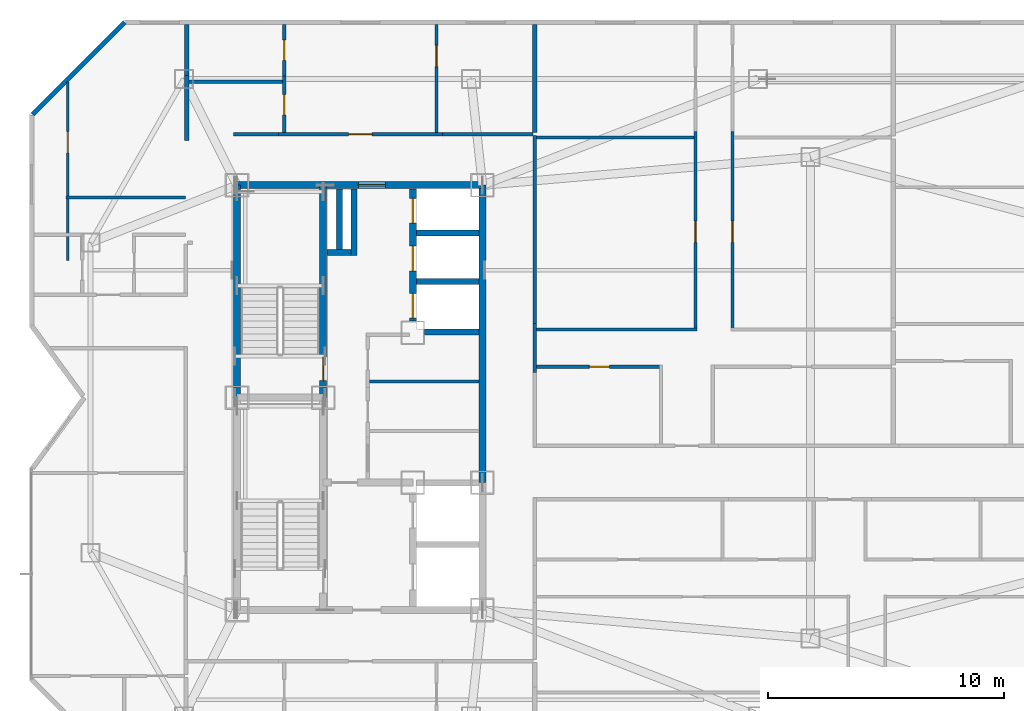
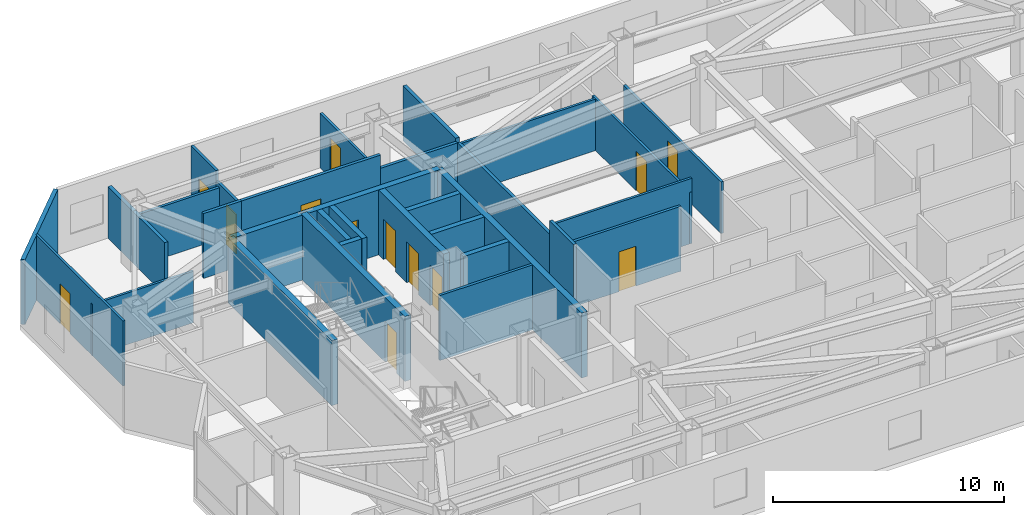
# One storey, part 10 of 14: 32 walls, 13 doors, 13 openings.
"""IFC4 building model written with IfcOpenShell, lengths in metres."""

from ifc_helpers import new_model, si_unit, direction, frame, frame_2d, origin, place, context, subcontext, project, spatial, rectangle, extrude, material, layer, layer_set, type_object, element, fill, save


model = new_model("IFC4")

# Units and contexts
model_context = context("Model", 3, precision=1e-05, world=origin(), true_north=direction((0.0, 1.0)))
body_context = subcontext(model_context, "Body", "Model", "MODEL_VIEW")
ifc_project = project(units=[si_unit("LENGTHUNIT", "METRE"), si_unit("AREAUNIT", "SQUARE_METRE"), si_unit("VOLUMEUNIT", "CUBIC_METRE"), si_unit("PLANEANGLEUNIT", "RADIAN"), si_unit("MASSUNIT", "GRAM", prefix="KILO")], contexts=[model_context])

# Site, building, storey
site_placement = place(None, origin())
site = spatial("IfcSite", under=ifc_project, at=site_placement, CompositionType="ELEMENT")
building_placement = place(site_placement, origin())
building = spatial("IfcBuilding", under=site, at=building_placement, Name="Khamvora Tower", CompositionType="ELEMENT")
storey_placement = place(building_placement, frame((0.0, 0.0, 231.800048828125)))
storey = spatial("IfcBuildingStorey", under=building, at=storey_placement, Name="L59", CompositionType="ELEMENT", Elevation=231.800048828125)

# Wall
ifc_material_1 = material(Name="Concrete C50/60", Category="concrete")
ifc_layer_1 = layer(ifc_material_1, 0.300048828125)
ifc_layer_set_1 = layer_set([ifc_layer_1], Name="Concrete C50/60")
wall_type_1 = type_object("IfcWallType", Name="WAL-CORE-300", PredefinedType="SHEAR", material=ifc_layer_set_1)
wall_1_placement = place(storey_placement, frame((29.0, 28.0, 0.0), z_axis=(0.0, 0.0, 1.0), x_axis=(0.0, 1.0, 0.0)))
element("IfcWall", 1, at=wall_1_placement, inside=storey, type_object=wall_type_1, Name="L59 central core west north wall", PredefinedType="SHEAR", context=body_context, shape_type="SweptSolid", body=[
    extrude(rectangle(XDim=9.0, YDim=0.300048828125, at=frame_2d((4.5, 0.0))), origin(), (0.0, 0.0, 1.0), 3.429931640625),
])

# Wall, opening, door
wall_2_placement = place(storey_placement, frame((29.0, 37.0, 0.0), z_axis=(0.0, 0.0, 1.0), x_axis=(1.0, 0.0, 0.0)))
wall_2 = element("IfcWall", 2, at=wall_2_placement, inside=storey, type_object=wall_type_1, Name="L59 central core north wall", PredefinedType="SHEAR", context=body_context, shape_type="SweptSolid", body=[
    extrude(rectangle(XDim=10.39990234375, YDim=0.300048828125, at=frame_2d((5.199951171875, 0.0))), origin(), (0.0, 0.0, 1.0), 3.429931640625),
])
opening_1_placement = place(wall_2_placement, frame((5.139892578125, 0.0, 0.0)))
opening_1 = element("IfcOpeningElement", 3, at=opening_1_placement, cuts=wall_2, Name="Opening D-SC1", PredefinedType="OPENING", context=body_context, shape_type="SweptSolid", body=[
    extrude(rectangle(XDim=1.14990234375, YDim=2.199951171875, at=frame_2d((0.574951171875, 1.10009765625))), frame((0.0, 0.159912109375, 0.0), z_axis=(0.0, -1.0, 0.0), x_axis=(1.0, 0.0, 0.0)), (0.0, 0.0, 1.0), 0.320068359375),
])
ifc_material_2 = material(Name="Powder-Coated Steel and Hardwood Leaf", Category="steel")
door_type_1 = type_object("IfcDoorType", Name="DOR-SCHL-1150", OperationType="NOTDEFINED", PredefinedType="DOOR", material=ifc_material_2)
door_1_placement = place(opening_1_placement, origin())
door_1 = element("IfcDoor", 4, at=door_1_placement, inside=storey, type_object=door_type_1, Name="L59 north core lobby to corridor fire door", OperationType="SINGLE_SWING_RIGHT", OverallHeight=2.199951171875, OverallWidth=1.14990234375, PredefinedType="DOOR", context=body_context, shape_type="SweptSolid", body=[
    extrude(rectangle(XDim=1.14990234375, YDim=2.199951171875, at=frame_2d((0.574951171875, 1.10009765625))), frame((0.0, 0.02490234375, 0.0), z_axis=(0.0, -1.0, 0.0), x_axis=(1.0, 0.0, 0.0)), (0.0, 0.0, 1.0), 0.050048828125),
])
fill(opening_1, door_1)

# Wall
wall_3_placement = place(storey_placement, frame((39.39990234375, 24.39990234375, 0.0), z_axis=(0.0, 0.0, 1.0), x_axis=(0.0, 1.0, 0.0)))
element("IfcWall", 5, at=wall_3_placement, inside=storey, type_object=wall_type_1, Name="L59 central core east north wall", PredefinedType="SHEAR", context=body_context, shape_type="SweptSolid", body=[
    extrude(rectangle(XDim=12.60009765625, YDim=0.300048828125, at=frame_2d((6.300048828125, 0.0))), origin(), (0.0, 0.0, 1.0), 3.429931640625),
])

# Wall, opening, door
wall_4_placement = place(storey_placement, frame((32.64990234375, 28.0, 0.0), z_axis=(0.0, 0.0, 1.0), x_axis=(0.0, 1.0, 0.0)))
wall_4 = element("IfcWall", 6, at=wall_4_placement, inside=storey, type_object=wall_type_1, Name="L59 central core stair north spine wall", PredefinedType="SHEAR", context=body_context, shape_type="SweptSolid", body=[
    extrude(rectangle(XDim=9.0, YDim=0.300048828125, at=frame_2d((4.5, 0.0))), origin(), (0.0, 0.0, 1.0), 3.429931640625),
])
opening_2_placement = place(wall_4_placement, frame((0.719970703125, 0.0, 0.0)))
opening_2 = element("IfcOpeningElement", 7, at=opening_2_placement, cuts=wall_4, Name="Opening D-ST1", PredefinedType="OPENING", context=body_context, shape_type="SweptSolid", body=[
    extrude(rectangle(XDim=1.0, YDim=2.14990234375, at=frame_2d((0.5, 1.074951171875))), frame((0.0, 0.159912109375, 0.0), z_axis=(0.0, -1.0, 0.0), x_axis=(1.0, 0.0, 0.0)), (0.0, 0.0, 1.0), 0.320068359375),
])
door_type_2 = type_object("IfcDoorType", Name="DOR-STAIR-1000", OperationType="NOTDEFINED", PredefinedType="DOOR", material=ifc_material_2)
door_2_placement = place(opening_2_placement, origin())
door_2 = element("IfcDoor", 8, at=door_2_placement, inside=storey, type_object=door_type_2, Name="L59 exit stair ST-02 fire door", OperationType="SINGLE_SWING_RIGHT", OverallHeight=2.14990234375, OverallWidth=1.0, PredefinedType="DOOR", context=body_context, shape_type="SweptSolid", body=[
    extrude(rectangle(XDim=1.0, YDim=2.14990234375, at=frame_2d((0.5, 1.074951171875))), frame((0.0, 0.02490234375, 0.0), z_axis=(0.0, -1.0, 0.0), x_axis=(1.0, 0.0, 0.0)), (0.0, 0.0, 1.0), 0.050048828125),
])
fill(opening_2, door_2)

# Wall, openings, doors
wall_5_placement = place(storey_placement, frame((36.449951171875, 31.25, 0.0), z_axis=(0.0, 0.0, 1.0), x_axis=(0.0, 1.0, 0.0)))
wall_5 = element("IfcWall", 9, at=wall_5_placement, inside=storey, type_object=wall_type_1, Name="L59 central core lift bank central wall", PredefinedType="SHEAR", context=body_context, shape_type="SweptSolid", body=[
    extrude(rectangle(XDim=5.595947265625, YDim=0.300048828125, at=frame_2d((2.7978515625, 0.0))), origin(), (0.0, 0.0, 1.0), 3.429931640625),
])
opening_3_placement = place(wall_5_placement, frame((0.1201171875, 0.0, 0.0)))
opening_3 = element("IfcOpeningElement", 10, at=opening_3_placement, cuts=wall_5, Name="Opening LD-PL", PredefinedType="OPENING", context=body_context, shape_type="SweptSolid", body=[
    extrude(rectangle(XDim=1.050048828125, YDim=2.14990234375, at=frame_2d((0.52490234375, 1.074951171875))), frame((0.0, 0.159912109375, 0.0), z_axis=(0.0, -1.0, 0.0), x_axis=(1.0, 0.0, 0.0)), (0.0, 0.0, 1.0), 0.320068359375),
])
opening_4_placement = place(wall_5_placement, frame((2.125, 0.0, 0.0)))
opening_4 = element("IfcOpeningElement", 11, at=opening_4_placement, cuts=wall_5, Name="Opening LD-PL", PredefinedType="OPENING", context=body_context, shape_type="SweptSolid", body=[
    extrude(rectangle(XDim=1.050048828125, YDim=2.14990234375, at=frame_2d((0.52490234375, 1.074951171875))), frame((0.0, 0.159912109375, 0.0), z_axis=(0.0, -1.0, 0.0), x_axis=(1.0, 0.0, 0.0)), (0.0, 0.0, 1.0), 0.320068359375),
])
opening_5_placement = place(wall_5_placement, frame((4.14501953125, 0.0, 0.0)))
opening_5 = element("IfcOpeningElement", 12, at=opening_5_placement, cuts=wall_5, Name="Opening LD-PL", PredefinedType="OPENING", context=body_context, shape_type="SweptSolid", body=[
    extrude(rectangle(XDim=1.050048828125, YDim=2.14990234375, at=frame_2d((0.52490234375, 1.074951171875))), frame((0.0, 0.159912109375, 0.0), z_axis=(0.0, -1.0, 0.0), x_axis=(1.0, 0.0, 0.0)), (0.0, 0.0, 1.0), 0.320068359375),
])
door_type_3 = type_object("IfcDoorType", Name="DOR-LIFT-1050", OperationType="SLIDING_TO_LEFT", PredefinedType="DOOR", material=ifc_material_2)
door_3_placement = place(opening_3_placement, origin())
door_3 = element("IfcDoor", 13, at=door_3_placement, inside=storey, type_object=door_type_3, Name="L59 lift landing sliding door PH-01", OperationType="SLIDING_TO_LEFT", OverallHeight=2.14990234375, OverallWidth=1.050048828125, PredefinedType="DOOR", context=body_context, shape_type="SweptSolid", body=[
    extrude(rectangle(XDim=1.050048828125, YDim=2.14990234375, at=frame_2d((0.52490234375, 1.074951171875))), frame((0.0, 0.02490234375, 0.0), z_axis=(0.0, -1.0, 0.0), x_axis=(1.0, 0.0, 0.0)), (0.0, 0.0, 1.0), 0.050048828125),
])
fill(opening_3, door_3)
door_4_placement = place(opening_4_placement, origin())
door_4 = element("IfcDoor", 14, at=door_4_placement, inside=storey, type_object=door_type_3, Name="L59 lift landing sliding door PH-02", OperationType="SLIDING_TO_LEFT", OverallHeight=2.14990234375, OverallWidth=1.050048828125, PredefinedType="DOOR", context=body_context, shape_type="SweptSolid", body=[
    extrude(rectangle(XDim=1.050048828125, YDim=2.14990234375, at=frame_2d((0.52490234375, 1.074951171875))), frame((0.0, 0.02490234375, 0.0), z_axis=(0.0, -1.0, 0.0), x_axis=(1.0, 0.0, 0.0)), (0.0, 0.0, 1.0), 0.050048828125),
])
fill(opening_4, door_4)
door_5_placement = place(opening_5_placement, origin())
door_5 = element("IfcDoor", 15, at=door_5_placement, inside=storey, type_object=door_type_3, Name="L59 lift landing sliding door PH-03", OperationType="SLIDING_TO_LEFT", OverallHeight=2.14990234375, OverallWidth=1.050048828125, PredefinedType="DOOR", context=body_context, shape_type="SweptSolid", body=[
    extrude(rectangle(XDim=1.050048828125, YDim=2.14990234375, at=frame_2d((0.52490234375, 1.074951171875))), frame((0.0, 0.02490234375, 0.0), z_axis=(0.0, -1.0, 0.0), x_axis=(1.0, 0.0, 0.0)), (0.0, 0.0, 1.0), 0.050048828125),
])
fill(opening_5, door_5)

# Wall, opening, door
ifc_material_3 = material(Name="Fire-Rated Drywall and Steel Stud", Category="steel")
ifc_layer_2 = layer(ifc_material_3, 0.14990234375)
ifc_layer_set_2 = layer_set([ifc_layer_2], Name="Fire-Rated Drywall and Steel Stud")
wall_type_2 = type_object("IfcWallType", Name="WAL-CORR-150", PredefinedType="STANDARD", material=ifc_layer_set_2)
wall_6_placement = place(storey_placement, frame((30.7509765625, 39.1650390625, 0.0), z_axis=(0.0, 0.0, 1.0), x_axis=(1.0, 0.0, 0.0)))
wall_6 = element("IfcWall", 16, at=wall_6_placement, inside=storey, type_object=wall_type_2, Name="L59 interior partition wall 017", PredefinedType="STANDARD", context=body_context, shape_type="SweptSolid", body=[
    extrude(rectangle(XDim=6.947998046875, YDim=0.14990234375, at=frame_2d((3.47412109375, 0.0))), origin(), (0.0, 0.0, 1.0), 3.429931640625),
])
opening_6_placement = place(wall_6_placement, frame((2.97412109375, 0.0, 0.0)))
opening_6 = element("IfcOpeningElement", 17, at=opening_6_placement, cuts=wall_6, Name="Opening D-U1", PredefinedType="OPENING", context=body_context, shape_type="SweptSolid", body=[
    extrude(rectangle(XDim=1.0, YDim=2.14990234375, at=frame_2d((0.5, 1.074951171875))), frame((0.0, 0.0849609375, 0.0), z_axis=(0.0, -1.0, 0.0), x_axis=(1.0, 0.0, 0.0)), (0.0, 0.0, 1.0), 0.169921875),
])
door_type_4 = type_object("IfcDoorType", Name="DOR-UNIT-1000", OperationType="NOTDEFINED", PredefinedType="DOOR", material=ifc_material_2)
door_6_placement = place(opening_6_placement, origin())
door_6 = element("IfcDoor", 18, at=door_6_placement, inside=storey, type_object=door_type_4, Name="L59 interior door COR-59NAH", OperationType="SINGLE_SWING_LEFT", OverallHeight=2.14990234375, OverallWidth=1.0, PredefinedType="DOOR", context=body_context, shape_type="SweptSolid", body=[
    extrude(rectangle(XDim=1.0, YDim=2.14990234375, at=frame_2d((0.5, 1.074951171875))), frame((0.0, 0.02490234375, 0.0), z_axis=(0.0, -1.0, 0.0), x_axis=(1.0, 0.0, 0.0)), (0.0, 0.0, 1.0), 0.050048828125),
])
fill(opening_6, door_6)

# Walls
wall_7_placement = place(storey_placement, frame((28.85009765625, 39.1650390625, 0.0), z_axis=(0.0, 0.0, 1.0), x_axis=(1.0, 0.0, 0.0)))
element("IfcWall", 19, at=wall_7_placement, inside=storey, type_object=wall_type_2, Name="L59 interior partition wall 018", PredefinedType="STANDARD", context=body_context, shape_type="SweptSolid", body=[
    extrude(rectangle(XDim=1.90087890625, YDim=0.14990234375, at=frame_2d((0.950439453125, 0.0))), origin(), (0.0, 0.0, 1.0), 3.429931640625),
])
wall_8_placement = place(storey_placement, frame((37.698974609375, 39.1650390625, 0.0), z_axis=(0.0, 0.0, 1.0), x_axis=(1.0, 0.0, 0.0)))
element("IfcWall", 20, at=wall_8_placement, inside=storey, type_object=wall_type_2, Name="L59 interior partition wall 019", PredefinedType="STANDARD", context=body_context, shape_type="SweptSolid", body=[
    extrude(rectangle(XDim=3.85107421875, YDim=0.14990234375, at=frame_2d((1.925537109375, 0.0))), origin(), (0.0, 0.0, 1.0), 2.724853515625),
])
wall_9_placement = place(storey_placement, frame((41.614990234375, 31.138916015625, 0.0), z_axis=(0.0, 0.0, 1.0), x_axis=(0.0, -1.0, 0.0)))
element("IfcWall", 21, at=wall_9_placement, inside=storey, type_object=wall_type_2, Name="L59 interior partition wall 028", PredefinedType="STANDARD", context=body_context, shape_type="SweptSolid", body=[
    extrude(rectangle(XDim=2.077880859375, YDim=0.14990234375, at=frame_2d((1.0390625, 0.0))), origin(), (0.0, 0.0, 1.0), 3.429931640625),
])
wall_10_placement = place(storey_placement, frame((41.614990234375, 39.10009765625, 0.0), z_axis=(0.0, 0.0, 1.0), x_axis=(0.0, -1.0, 0.0)))
element("IfcWall", 22, at=wall_10_placement, inside=storey, type_object=wall_type_2, Name="L59 interior partition wall 033", PredefinedType="STANDARD", context=body_context, shape_type="SweptSolid", body=[
    extrude(rectangle(XDim=7.961181640625, YDim=0.14990234375, at=frame_2d((3.98046875, 0.0))), origin(), (0.0, 0.0, 1.0), 2.724853515625),
])
ifc_material_4 = material(Name="Acoustic Double-Stud Fire Wall", Category="gypsum")
ifc_layer_3 = layer(ifc_material_4, 0.179931640625)
ifc_layer_set_3 = layer_set([ifc_layer_3], Name="Acoustic Double-Stud Fire Wall")
wall_type_3 = type_object("IfcWallType", Name="WAL-CORR-180", PredefinedType="STANDARD", material=ifc_layer_set_3)
wall_11_placement = place(storey_placement, frame((26.875, 41.64306640625, 0.0), z_axis=(0.0, 0.0, 1.0), x_axis=(0.0, -1.0, 0.0)))
element("IfcWall", 23, at=wall_11_placement, inside=storey, type_object=wall_type_3, Name="L59 interior partition wall 050", PredefinedType="STANDARD", context=body_context, shape_type="SweptSolid", body=[
    extrude(rectangle(XDim=2.740966796875, YDim=0.179931640625, at=frame_2d((1.37060546875, 0.0))), origin(), (0.0, 0.0, 1.0), 2.724853515625),
])
wall_12_placement = place(storey_placement, frame((26.875, 43.80810546875, 0.0), z_axis=(0.0, 0.0, 1.0), x_axis=(0.0, -1.0, 0.0)))
element("IfcWall", 24, at=wall_12_placement, inside=storey, type_object=wall_type_3, Name="L59 interior partition wall 051", PredefinedType="STANDARD", context=body_context, shape_type="SweptSolid", body=[
    extrude(rectangle(XDim=2.1650390625, YDim=0.179931640625, at=frame_2d((1.08251953125, 0.0))), origin(), (0.0, 0.0, 1.0), 2.724853515625),
])
wall_13_placement = place(storey_placement, frame((41.614990234375, 43.80810546875, 0.0), z_axis=(0.0, 0.0, 1.0), x_axis=(0.0, -1.0, 0.0)))
element("IfcWall", 25, at=wall_13_placement, inside=storey, type_object=wall_type_3, Name="L59 interior partition wall 062", PredefinedType="STANDARD", context=body_context, shape_type="SweptSolid", body=[
    extrude(rectangle(XDim=4.578125, YDim=0.179931640625, at=frame_2d((2.2890625, 0.0))), origin(), (0.0, 0.0, 1.0), 2.886962890625),
])
ifc_material_5 = material(Name="Precast concrete C40/50", Category="concrete")
ifc_layer_4 = layer(ifc_material_5, 0.199951171875)
ifc_layer_set_4 = layer_set([ifc_layer_4], Name="Precast concrete C40/50")
wall_type_4 = type_object("IfcWallType", Name="WAL-EXT-200", PredefinedType="STANDARD", material=ifc_layer_set_4)
wall_14_placement = place(storey_placement, frame((20.343994140625, 40.0029296875, 0.0), z_axis=(0.0, 0.0, 1.0), x_axis=(0.707106781187, 0.707106781187, 0.0)))
element("IfcWall", 26, at=wall_14_placement, inside=storey, type_object=wall_type_4, Name="L59 exterior facade wall 06.1", PredefinedType="STANDARD", context=body_context, shape_type="SweptSolid", body=[
    extrude(rectangle(XDim=5.51123046875, YDim=0.199951171875, at=frame_2d((2.755615234375, 0.0))), origin(), (0.0, 0.0, 1.0), 3.429931640625),
])

# Wall, opening, door
ifc_material_6 = material(Name="Gypsum Plasterboard Partition", Category="gypsum")
ifc_layer_5 = layer(ifc_material_6, 0.1201171875)
ifc_layer_set_5 = layer_set([ifc_layer_5], Name="Gypsum Plasterboard Partition")
wall_type_5 = type_object("IfcWallType", Name="WAL-PART-120", PredefinedType="PARTITIONING", material=ifc_layer_set_5)
wall_15_placement = place(storey_placement, frame((21.824951171875, 41.368896484375, 0.0), z_axis=(0.0, 0.0, 1.0), x_axis=(0.0, -1.0, 0.0)))
wall_15 = element("IfcWall", 27, at=wall_15_placement, inside=storey, type_object=wall_type_5, Name="L59 interior partition wall 048", PredefinedType="PARTITIONING", context=body_context, shape_type="SweptSolid", body=[
    extrude(rectangle(XDim=7.555908203125, YDim=0.1201171875, at=frame_2d((3.77783203125, 0.0))), origin(), (0.0, 0.0, 1.0), 3.429931640625),
])
opening_7_placement = place(wall_15_placement, frame((2.09912109375, 0.0, 0.0)))
opening_7 = element("IfcOpeningElement", 28, at=opening_7_placement, cuts=wall_15, Name="Opening D-RM1", PredefinedType="OPENING", context=body_context, shape_type="SweptSolid", body=[
    extrude(rectangle(XDim=0.89990234375, YDim=2.10009765625, at=frame_2d((0.449951171875, 1.050048828125))), frame((0.0, 0.070068359375, 0.0), z_axis=(0.0, -1.0, 0.0), x_axis=(1.0, 0.0, 0.0)), (0.0, 0.0, 1.0), 0.14013671875),
])
door_type_5 = type_object("IfcDoorType", Name="DOR-ROOM-900", OperationType="NOTDEFINED", PredefinedType="DOOR", material=ifc_material_2)
door_7_placement = place(opening_7_placement, origin())
door_7 = element("IfcDoor", 29, at=door_7_placement, inside=storey, type_object=door_type_5, Name="L59 interior door 59WBH-59WBR1", OperationType="SINGLE_SWING_LEFT", OverallHeight=2.10009765625, OverallWidth=0.89990234375, PredefinedType="DOOR", context=body_context, shape_type="SweptSolid", body=[
    extrude(rectangle(XDim=0.89990234375, YDim=2.10009765625, at=frame_2d((0.449951171875, 1.050048828125))), frame((0.0, 0.02490234375, 0.0), z_axis=(0.0, -1.0, 0.0), x_axis=(1.0, 0.0, 0.0)), (0.0, 0.0, 1.0), 0.050048828125),
])
fill(opening_7, door_7)

# Wall
wall_16_placement = place(storey_placement, frame((21.760009765625, 36.47802734375, 0.0), z_axis=(0.0, 0.0, 1.0), x_axis=(1.0, 0.0, 0.0)))
element("IfcWall", 30, at=wall_16_placement, inside=storey, type_object=wall_type_5, Name="L59 interior partition wall 049", PredefinedType="PARTITIONING", context=body_context, shape_type="SweptSolid", body=[
    extrude(rectangle(XDim=5.050048828125, YDim=0.1201171875, at=frame_2d((2.52490234375, 0.0))), origin(), (0.0, 0.0, 1.0), 2.724853515625),
])

# Wall, opening, door
wall_17_placement = place(storey_placement, frame((37.449951171875, 43.80810546875, 0.0), z_axis=(0.0, 0.0, 1.0), x_axis=(0.0, -1.0, 0.0)))
wall_17 = element("IfcWall", 31, at=wall_17_placement, inside=storey, type_object=wall_type_5, Name="L59 interior partition wall 060", PredefinedType="PARTITIONING", context=body_context, shape_type="SweptSolid", body=[
    extrude(rectangle(XDim=4.576171875, YDim=0.1201171875, at=frame_2d((2.2880859375, 0.0))), origin(), (0.0, 0.0, 1.0), 2.886962890625),
])
opening_8_placement = place(wall_17_placement, frame((0.884033203125, 0.0, 0.0)))
opening_8 = element("IfcOpeningElement", 32, at=opening_8_placement, cuts=wall_17, Name="Opening D-RM1", PredefinedType="OPENING", context=body_context, shape_type="SweptSolid", body=[
    extrude(rectangle(XDim=0.89990234375, YDim=2.10009765625, at=frame_2d((0.449951171875, 1.050048828125))), frame((0.0, 0.070068359375, 0.0), z_axis=(0.0, -1.0, 0.0), x_axis=(1.0, 0.0, 0.0)), (0.0, 0.0, 1.0), 0.14013671875),
])
door_8_placement = place(opening_8_placement, origin())
door_8 = element("IfcDoor", 33, at=door_8_placement, inside=storey, type_object=door_type_5, Name="L59 interior door 59NAH-59NAR1", OperationType="SINGLE_SWING_LEFT", OverallHeight=2.10009765625, OverallWidth=0.89990234375, PredefinedType="DOOR", context=body_context, shape_type="SweptSolid", body=[
    extrude(rectangle(XDim=0.89990234375, YDim=2.10009765625, at=frame_2d((0.449951171875, 1.050048828125))), frame((0.0, 0.02490234375, 0.0), z_axis=(0.0, -1.0, 0.0), x_axis=(1.0, 0.0, 0.0)), (0.0, 0.0, 1.0), 0.050048828125),
])
fill(opening_8, door_8)

wall_18_placement = place(storey_placement, frame((48.425048828125, 30.824951171875, 0.0), z_axis=(0.0, 0.0, 1.0), x_axis=(0.0, 1.0, 0.0)))
wall_18 = element("IfcWall", 34, at=wall_18_placement, inside=storey, type_object=wall_type_5, Name="L59 interior partition wall 083", PredefinedType="PARTITIONING", context=body_context, shape_type="SweptSolid", body=[
    extrude(rectangle(XDim=8.450927734375, YDim=0.1201171875, at=frame_2d((4.2255859375, 0.0))), origin(), (0.0, 0.0, 1.0), 2.724853515625),
])
opening_9_placement = place(wall_18_placement, frame((3.7548828125, 0.0, 0.0)))
opening_9 = element("IfcOpeningElement", 35, at=opening_9_placement, cuts=wall_18, Name="Opening D-RM1", PredefinedType="OPENING", context=body_context, shape_type="SweptSolid", body=[
    extrude(rectangle(XDim=0.89990234375, YDim=2.10009765625, at=frame_2d((0.449951171875, 1.050048828125))), frame((0.0, 0.070068359375, 0.0), z_axis=(0.0, -1.0, 0.0), x_axis=(1.0, 0.0, 0.0)), (0.0, 0.0, 1.0), 0.14013671875),
])
door_9_placement = place(opening_9_placement, origin())
door_9 = element("IfcDoor", 36, at=door_9_placement, inside=storey, type_object=door_type_5, Name="L59 interior door 59EB1H-59EB1R1", OperationType="SINGLE_SWING_RIGHT", OverallHeight=2.10009765625, OverallWidth=0.89990234375, PredefinedType="DOOR", context=body_context, shape_type="SweptSolid", body=[
    extrude(rectangle(XDim=0.89990234375, YDim=2.10009765625, at=frame_2d((0.449951171875, 1.050048828125))), frame((0.0, 0.02490234375, 0.0), z_axis=(0.0, -1.0, 0.0), x_axis=(1.0, 0.0, 0.0)), (0.0, 0.0, 1.0), 0.050048828125),
])
fill(opening_9, door_9)

# Wall
wall_19_placement = place(storey_placement, frame((41.681884765625, 30.889892578125, 0.0), z_axis=(0.0, 0.0, 1.0), x_axis=(1.0, 0.0, 0.0)))
element("IfcWall", 37, at=wall_19_placement, inside=storey, type_object=wall_type_5, Name="L59 interior partition wall 084", PredefinedType="PARTITIONING", context=body_context, shape_type="SweptSolid", body=[
    extrude(rectangle(XDim=6.80810546875, YDim=0.1201171875, at=frame_2d((3.404052734375, 0.0))), origin(), (0.0, 0.0, 1.0), 3.429931640625),
])

# Wall, opening, door
wall_20_placement = place(storey_placement, frame((49.9951171875, 39.27587890625, 0.0), z_axis=(0.0, 0.0, 1.0), x_axis=(0.0, -1.0, 0.0)))
wall_20 = element("IfcWall", 38, at=wall_20_placement, inside=storey, type_object=wall_type_5, Name="L59 interior partition wall 086", PredefinedType="PARTITIONING", context=body_context, shape_type="SweptSolid", body=[
    extrude(rectangle(XDim=8.450927734375, YDim=0.1201171875, at=frame_2d((4.2255859375, 0.0))), origin(), (0.0, 0.0, 1.0), 2.724853515625),
])
opening_10_placement = place(wall_20_placement, frame((3.7958984375, 0.0, 0.0)))
opening_10 = element("IfcOpeningElement", 39, at=opening_10_placement, cuts=wall_20, Name="Opening D-RM1", PredefinedType="OPENING", context=body_context, shape_type="SweptSolid", body=[
    extrude(rectangle(XDim=0.89990234375, YDim=2.10009765625, at=frame_2d((0.449951171875, 1.050048828125))), frame((0.0, 0.070068359375, 0.0), z_axis=(0.0, -1.0, 0.0), x_axis=(1.0, 0.0, 0.0)), (0.0, 0.0, 1.0), 0.14013671875),
])
door_10_placement = place(opening_10_placement, origin())
door_10 = element("IfcDoor", 40, at=door_10_placement, inside=storey, type_object=door_type_5, Name="L59 interior door 59EB1H-59EB1R3", OperationType="SINGLE_SWING_RIGHT", OverallHeight=2.10009765625, OverallWidth=0.89990234375, PredefinedType="DOOR", context=body_context, shape_type="SweptSolid", body=[
    extrude(rectangle(XDim=0.89990234375, YDim=2.10009765625, at=frame_2d((0.449951171875, 1.050048828125))), frame((0.0, 0.02490234375, 0.0), z_axis=(0.0, -1.0, 0.0), x_axis=(1.0, 0.0, 0.0)), (0.0, 0.0, 1.0), 0.050048828125),
])
fill(opening_10, door_10)

# Walls
wall_21_placement = place(storey_placement, frame((41.681884765625, 39.027099609375, 0.0), z_axis=(0.0, 0.0, 1.0), x_axis=(1.0, 0.0, 0.0)))
element("IfcWall", 41, at=wall_21_placement, inside=storey, type_object=wall_type_5, Name="L59 interior partition wall 091", PredefinedType="PARTITIONING", context=body_context, shape_type="SweptSolid", body=[
    extrude(rectangle(XDim=6.689208984375, YDim=0.1201171875, at=frame_2d((3.3447265625, 0.0))), origin(), (0.0, 0.0, 1.0), 2.724853515625),
])
ifc_material_7 = material(Name="Concrete C40/50", Category="concrete")
ifc_layer_6 = layer(ifc_material_7, 0.25)
ifc_layer_set_6 = layer_set([ifc_layer_6], Name="Concrete C40/50")
wall_type_6 = type_object("IfcWallType", Name="WAL-PODS-250", PredefinedType="SHEAR", material=ifc_layer_set_6)
wall_22_placement = place(storey_placement, frame((36.9541015625, 30.77490234375, 0.0), z_axis=(0.0, 0.0, 1.0), x_axis=(1.0, 0.0, 0.0)))
element("IfcWall", 42, at=wall_22_placement, inside=storey, type_object=wall_type_6, Name="L59 high-rise lift shaft south enclosure wall PH-01", PredefinedType="SHEAR", context=body_context, shape_type="SweptSolid", body=[
    extrude(rectangle(XDim=2.2919921875, YDim=0.25, at=frame_2d((1.14599609375, 0.0))), origin(), (0.0, 0.0, 1.0), 3.429931640625),
])
for number, where, z_axis, x_axis, name in (
    (43, (36.60400390625, 32.925048828125, 0.0), (0.0, 0.0, 1.0), (1.0, 0.0, 0.0), "L59 lift shaft divider wall PH-01"),
    (44, (36.60400390625, 34.97509765625, 0.0), (0.0, 0.0, 1.0), (1.0, 0.0, 0.0), "L59 lift shaft divider wall PH-02"),
):
    element("IfcWall", number, at=place(storey_placement, frame(where, z_axis=z_axis, x_axis=x_axis)), inside=storey, type_object=wall_type_6, Name=name, PredefinedType="SHEAR", context=body_context, shape_type="SweptSolid", body=[
        extrude(rectangle(XDim=2.64208984375, YDim=0.25, at=frame_2d((1.321044921875, 0.0))), origin(), (0.0, 0.0, 1.0), 3.429931640625),
    ])
wall_23_placement = place(storey_placement, frame((33.955078125, 34.02490234375, 0.0), z_axis=(0.0, 0.0, 1.0), x_axis=(0.0, 1.0, 0.0)))
element("IfcWall", 45, at=wall_23_placement, inside=storey, type_object=wall_type_6, Name="L59 vertical MEP riser shaft east enclosure wall", PredefinedType="SHEAR", context=body_context, shape_type="SweptSolid", body=[
    extrude(rectangle(XDim=2.821044921875, YDim=0.25, at=frame_2d((1.41064453125, 0.0))), origin(), (0.0, 0.0, 1.0), 3.429931640625),
])
wall_24_placement = place(storey_placement, frame((32.803955078125, 34.14990234375, 0.0), z_axis=(0.0, 0.0, 1.0), x_axis=(1.0, 0.0, 0.0)))
element("IfcWall", 46, at=wall_24_placement, inside=storey, type_object=wall_type_6, Name="L59 vertical MEP riser shaft south enclosure wall", PredefinedType="SHEAR", context=body_context, shape_type="SweptSolid", body=[
    extrude(rectangle(XDim=1.02197265625, YDim=0.25, at=frame_2d((0.510986328125, 0.0))), origin(), (0.0, 0.0, 1.0), 3.429931640625),
])
wall_25_placement = place(storey_placement, frame((33.340087890625, 34.279052734375, 0.0), z_axis=(0.0, 0.0, 1.0), x_axis=(0.0, 1.0, 0.0)))
element("IfcWall", 47, at=wall_25_placement, inside=storey, type_object=wall_type_6, Name="L59 vertical MEP riser shaft divider enclosure wall", PredefinedType="SHEAR", context=body_context, shape_type="SweptSolid", body=[
    extrude(rectangle(XDim=2.56689453125, YDim=0.25, at=frame_2d((1.283447265625, 0.0))), origin(), (0.0, 0.0, 1.0), 3.429931640625),
])
ifc_material_8 = material(Name="Moisture-Resistant Plasterboard Partition", Category="gypsum")
ifc_layer_7 = layer(ifc_material_8, 0.135009765625)
ifc_layer_set_7 = layer_set([ifc_layer_7], Name="Moisture-Resistant Plasterboard Partition")
wall_type_7 = type_object("IfcWallType", Name="WAL-WET-135", PredefinedType="PARTITIONING", material=ifc_layer_set_7)
wall_26_placement = place(storey_placement, frame((39.256103515625, 28.68505859375, 0.0), z_axis=(0.0, 0.0, 1.0), x_axis=(-1.0, 0.0, 0.0)))
element("IfcWall", 48, at=wall_26_placement, inside=storey, type_object=wall_type_7, Name="L59 interior partition wall 005", PredefinedType="PARTITIONING", context=body_context, shape_type="SweptSolid", body=[
    extrude(rectangle(XDim=4.64404296875, YDim=0.135009765625, at=frame_2d((2.322021484375, 0.0))), origin(), (0.0, 0.0, 1.0), 3.429931640625),
])

# Wall, opening, door
wall_27_placement = place(storey_placement, frame((31.0, 39.23193359375, 0.0), z_axis=(0.0, 0.0, 1.0), x_axis=(0.0, 1.0, 0.0)))
wall_27 = element("IfcWall", 49, at=wall_27_placement, inside=storey, type_object=wall_type_7, Name="L59 interior partition wall 058", PredefinedType="PARTITIONING", context=body_context, shape_type="SweptSolid", body=[
    extrude(rectangle(XDim=2.39697265625, YDim=0.135009765625, at=frame_2d((1.198486328125, 0.0))), origin(), (0.0, 0.0, 1.0), 2.886962890625),
])
opening_11_placement = place(wall_27_placement, frame((0.751953125, 0.0, 0.0)))
opening_11 = element("IfcOpeningElement", 50, at=opening_11_placement, cuts=wall_27, Name="Opening D-WC1", PredefinedType="OPENING", context=body_context, shape_type="SweptSolid", body=[
    extrude(rectangle(XDim=0.85009765625, YDim=2.10009765625, at=frame_2d((0.425048828125, 1.050048828125))), frame((0.0, 0.077392578125, 0.0), z_axis=(0.0, -1.0, 0.0), x_axis=(1.0, 0.0, 0.0)), (0.0, 0.0, 1.0), 0.155029296875),
])
door_type_6 = type_object("IfcDoorType", Name="DOR-WET-850", OperationType="NOTDEFINED", PredefinedType="DOOR", material=ifc_material_2)
door_11_placement = place(opening_11_placement, origin())
door_11 = element("IfcDoor", 51, at=door_11_placement, inside=storey, type_object=door_type_6, Name="L59 interior door 59NAH-59NAB", OperationType="SINGLE_SWING_RIGHT", OverallHeight=2.10009765625, OverallWidth=0.85009765625, PredefinedType="DOOR", context=body_context, shape_type="SweptSolid", body=[
    extrude(rectangle(XDim=0.85009765625, YDim=2.10009765625, at=frame_2d((0.425048828125, 1.050048828125))), frame((0.0, 0.02490234375, 0.0), z_axis=(0.0, -1.0, 0.0), x_axis=(1.0, 0.0, 0.0)), (0.0, 0.0, 1.0), 0.050048828125),
])
fill(opening_11, door_11)

wall_28_placement = place(storey_placement, frame((31.0, 41.62890625, 0.0), z_axis=(0.0, 0.0, 1.0), x_axis=(0.0, 1.0, 0.0)))
wall_28 = element("IfcWall", 52, at=wall_28_placement, inside=storey, type_object=wall_type_7, Name="L59 interior partition wall 059", PredefinedType="PARTITIONING", context=body_context, shape_type="SweptSolid", body=[
    extrude(rectangle(XDim=2.17919921875, YDim=0.135009765625, at=frame_2d((1.089599609375, 0.0))), origin(), (0.0, 0.0, 1.0), 3.429931640625),
])
opening_12_placement = place(wall_28_placement, frame((0.6640625, 0.0, 0.0)))
opening_12 = element("IfcOpeningElement", 53, at=opening_12_placement, cuts=wall_28, Name="Opening D-RM2", PredefinedType="OPENING", context=body_context, shape_type="SweptSolid", body=[
    extrude(rectangle(XDim=0.85009765625, YDim=2.10009765625, at=frame_2d((0.425048828125, 1.050048828125))), frame((0.0, 0.077392578125, 0.0), z_axis=(0.0, -1.0, 0.0), x_axis=(1.0, 0.0, 0.0)), (0.0, 0.0, 1.0), 0.155029296875),
])
door_type_7 = type_object("IfcDoorType", Name="DOR-ROOM-850", OperationType="NOTDEFINED", PredefinedType="DOOR", material=ifc_material_2)
door_12_placement = place(opening_12_placement, origin())
door_12 = element("IfcDoor", 54, at=door_12_placement, inside=storey, type_object=door_type_7, Name="L59 interior door 59NAH-59NAK", OperationType="SINGLE_SWING_LEFT", OverallHeight=2.10009765625, OverallWidth=0.85009765625, PredefinedType="DOOR", context=body_context, shape_type="SweptSolid", body=[
    extrude(rectangle(XDim=0.85009765625, YDim=2.10009765625, at=frame_2d((0.425048828125, 1.050048828125))), frame((0.0, 0.02490234375, 0.0), z_axis=(0.0, -1.0, 0.0), x_axis=(1.0, 0.0, 0.0)), (0.0, 0.0, 1.0), 0.050048828125),
])
fill(opening_12, door_12)

# Wall
wall_29_placement = place(storey_placement, frame((26.95703125, 41.3798828125, 0.0), z_axis=(0.0, 0.0, 1.0), x_axis=(1.0, 0.0, 0.0)))
element("IfcWall", 55, at=wall_29_placement, inside=storey, type_object=wall_type_7, Name="L59 interior partition wall 061", PredefinedType="PARTITIONING", context=body_context, shape_type="SweptSolid", body=[
    extrude(rectangle(XDim=3.98193359375, YDim=0.135009765625, at=frame_2d((1.990966796875, 0.0))), origin(), (0.0, 0.0, 1.0), 2.724853515625),
])

# Wall, opening, door
wall_30_placement = place(storey_placement, frame((47.02490234375, 29.31005859375, 0.0), z_axis=(0.0, 0.0, 1.0), x_axis=(-1.0, 0.0, 0.0)))
wall_30 = element("IfcWall", 56, at=wall_30_placement, inside=storey, type_object=wall_type_7, Name="L59 interior partition wall 080", PredefinedType="PARTITIONING", context=body_context, shape_type="SweptSolid", body=[
    extrude(rectangle(XDim=5.343017578125, YDim=0.135009765625, at=frame_2d((2.67138671875, 0.0))), origin(), (0.0, 0.0, 1.0), 3.429931640625),
])
opening_13_placement = place(wall_30_placement, frame((2.2470703125, 0.0, 0.0)))
opening_13 = element("IfcOpeningElement", 57, at=opening_13_placement, cuts=wall_30, Name="Opening D-WC1", PredefinedType="OPENING", context=body_context, shape_type="SweptSolid", body=[
    extrude(rectangle(XDim=0.85009765625, YDim=2.10009765625, at=frame_2d((0.425048828125, 1.050048828125))), frame((0.0, 0.077392578125, 0.0), z_axis=(0.0, -1.0, 0.0), x_axis=(1.0, 0.0, 0.0)), (0.0, 0.0, 1.0), 0.155029296875),
])
door_13_placement = place(opening_13_placement, origin())
door_13 = element("IfcDoor", 58, at=door_13_placement, inside=storey, type_object=door_type_6, Name="L59 interior door 59EB1H-59EB1B", OperationType="SINGLE_SWING_RIGHT", OverallHeight=2.10009765625, OverallWidth=0.85009765625, PredefinedType="DOOR", context=body_context, shape_type="SweptSolid", body=[
    extrude(rectangle(XDim=0.85009765625, YDim=2.10009765625, at=frame_2d((0.425048828125, 1.050048828125))), frame((0.0, 0.02490234375, 0.0), z_axis=(0.0, -1.0, 0.0), x_axis=(1.0, 0.0, 0.0)), (0.0, 0.0, 1.0), 0.050048828125),
])
fill(opening_13, door_13)

save(model, "model.ifc")
